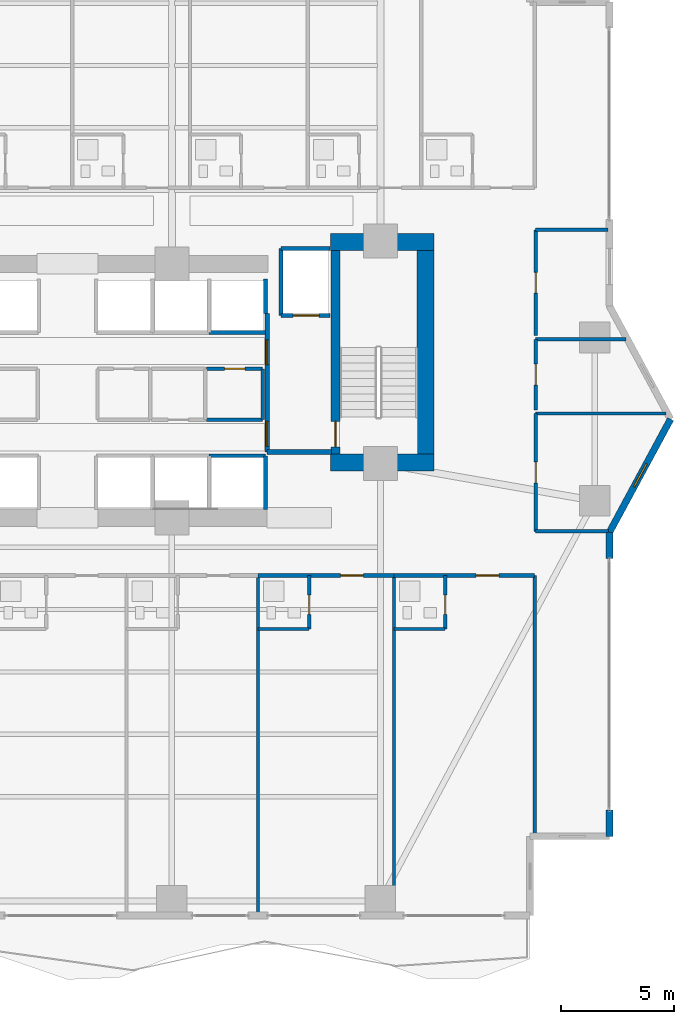
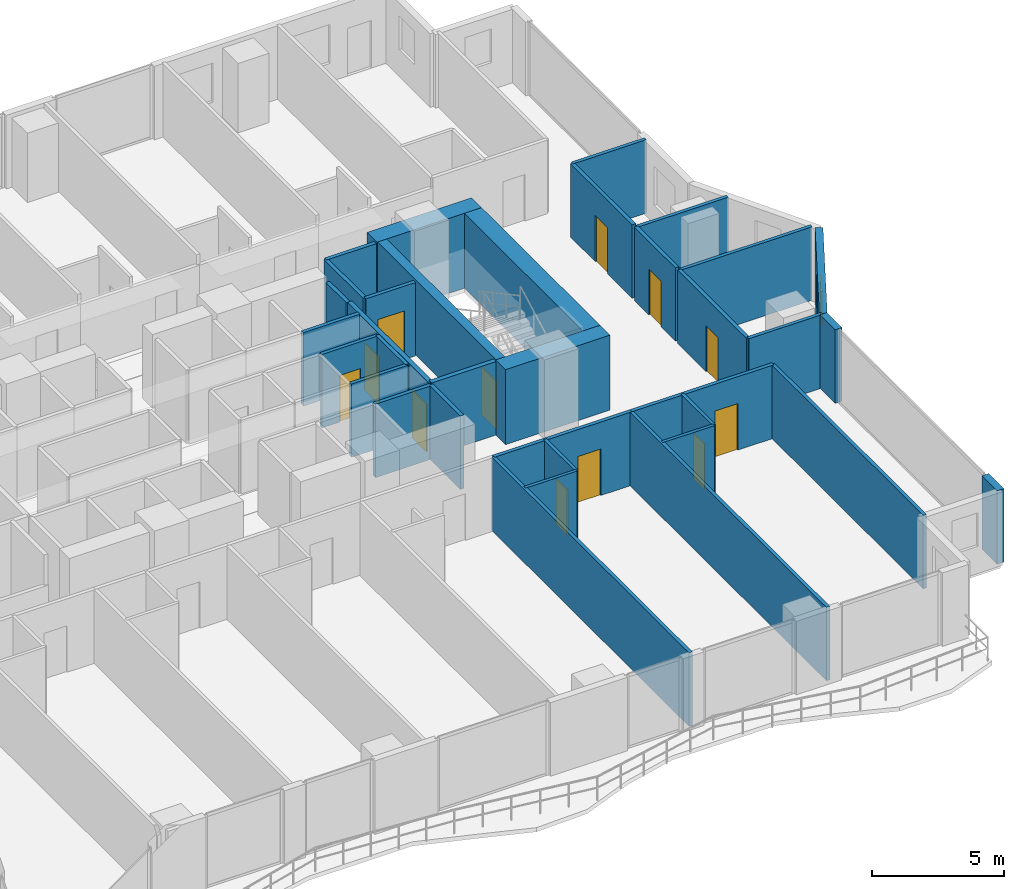
# One storey, part 23 of 29: 35 walls, 12 doors, 1 window, 13 openings.
"""IFC4 building model written with IfcOpenShell, lengths in metres."""

from ifc_helpers import new_model, si_unit, direction, frame, frame_2d, origin, place, context, subcontext, project, spatial, rectangle, extrude, material, layer, layer_set, type_object, element, fill, save


model = new_model("IFC4")

# Units and contexts
model_context = context("Model", 3, precision=1e-05, world=origin(), true_north=direction((0.0, 1.0)))
body_context = subcontext(model_context, "Body", "Model", "MODEL_VIEW")
ifc_project = project(units=[si_unit("LENGTHUNIT", "METRE"), si_unit("AREAUNIT", "SQUARE_METRE"), si_unit("VOLUMEUNIT", "CUBIC_METRE"), si_unit("PLANEANGLEUNIT", "RADIAN"), si_unit("MASSUNIT", "GRAM", prefix="KILO")], contexts=[model_context])

# Site, building, storey
site_placement = place(None, origin())
site = spatial("IfcSite", under=ifc_project, at=site_placement, CompositionType="ELEMENT")
building_placement = place(site_placement, origin())
building = spatial("IfcBuilding", under=site, at=building_placement, Name="Zuhayl Quay Hotel", CompositionType="ELEMENT")
storey_placement = place(building_placement, frame((0.0, 0.0, 158.550048828125)))
storey = spatial("IfcBuildingStorey", under=building, at=storey_placement, Name="L40", CompositionType="ELEMENT", Elevation=158.550048828125)

# Walls
ifc_material_1 = material(Name="Concrete C60/75", Category="concrete")
ifc_layer_1 = layer(ifc_material_1, 0.75, Name="Concrete C60/75", Category="concrete")
ifc_layer_set_1 = layer_set([ifc_layer_1], Name="Concrete C60/75")
wall_type_1 = type_object("IfcWallType", Name="WL_CORE_750", PredefinedType="SHEAR", material=ifc_layer_set_1)
wall_1_placement = place(storey_placement, frame((11.60009765625, 14.304931640625, 0.0), z_axis=(0.0, 0.0, 1.0), x_axis=(1.0, 0.0, 0.0)))
element("IfcWall", 1, at=wall_1_placement, inside=storey, type_object=wall_type_1, Name="L40 Core Shear Wall CW_NE", PredefinedType="SHEAR", context=body_context, shape_type="SweptSolid", body=[
    extrude(rectangle(XDim=4.559814453125, YDim=0.75, at=frame_2d((2.27978515625, 0.0))), origin(), (0.0, 0.0, 1.0), 3.4599609375),
])
wall_2_placement = place(storey_placement, frame((15.784912109375, 4.969970703125, 0.0), z_axis=(0.0, 0.0, 1.0), x_axis=(0.0, 1.0, 0.0)))
element("IfcWall", 2, at=wall_2_placement, inside=storey, type_object=wall_type_1, Name="L40 Core Shear Wall CW_E", PredefinedType="SHEAR", context=body_context, shape_type="SweptSolid", body=[
    extrude(rectangle(XDim=8.9599609375, YDim=0.75, at=frame_2d((4.47998046875, 0.0))), origin(), (0.0, 0.0, 1.0), 3.4599609375),
])
wall_3_placement = place(storey_placement, frame((11.60009765625, 4.594970703125, 0.0), z_axis=(0.0, 0.0, 1.0), x_axis=(1.0, 0.0, 0.0)))
element("IfcWall", 3, at=wall_3_placement, inside=storey, type_object=wall_type_1, Name="L40 Core Shear Wall CW_SE", PredefinedType="SHEAR", context=body_context, shape_type="SweptSolid", body=[
    extrude(rectangle(XDim=4.559814453125, YDim=0.75, at=frame_2d((2.27978515625, 0.0))), origin(), (0.0, 0.0, 1.0), 3.4599609375),
])

# Wall, opening, window
ifc_material_2 = material(Name="Precast concrete C45/55", Category="concrete")
ifc_layer_2 = layer(ifc_material_2, 0.300048828125, Name="Precast concrete C45/55", Category="concrete")
ifc_layer_set_2 = layer_set([ifc_layer_2], Name="Precast concrete C45/55")
wall_type_2 = type_object("IfcWallType", Name="WL_EXT_300", PredefinedType="STANDARD", material=ifc_layer_set_2)
wall_4_placement = place(storey_placement, frame((26.60009765625, 6.5, 0.0), z_axis=(0.0, 0.0, 1.0), x_axis=(-0.475175525499, -0.879891027325, 0.0)))
wall_4 = element("IfcWall", 4, at=wall_4_placement, inside=storey, type_object=wall_type_2, Name="L40 Exterior Precast Wall ENV_L40_EW13", PredefinedType="STANDARD", context=body_context, shape_type="SweptSolid", body=[
    extrude(rectangle(XDim=5.6826171875, YDim=0.300048828125, at=frame_2d((2.84130859375, 0.0))), origin(), (0.0, 0.0, 1.0), 3.389892578125),
])
opening_1_placement = place(wall_4_placement, frame((2.2421875, 0.0, 1.25)))
opening_1 = element("IfcOpeningElement", 5, at=opening_1_placement, cuts=wall_4, Name="Opening W01N", PredefinedType="OPENING", context=body_context, shape_type="SweptSolid", body=[
    extrude(rectangle(XDim=1.14990234375, YDim=1.550048828125, at=frame_2d((0.574951171875, 0.77490234375))), frame((0.0, 0.159912109375, 0.0), z_axis=(0.0, -1.0, 0.0), x_axis=(1.0, 0.0, 0.0)), (0.0, 0.0, 1.0), 0.320068359375),
])
ifc_material_3 = material(Name="Dark Ceramic-Fritted Solar Glass", Category="glass")
window_type = type_object("IfcWindowType", Name="WN_NOTCH_1350", PartitioningType="SINGLE_PANEL", PredefinedType="WINDOW", material=ifc_material_3)
window_placement = place(opening_1_placement, origin())
window = element("IfcWindow", 6, at=window_placement, inside=storey, type_object=window_type, Name="L40 Corner Notch Window 13", OverallHeight=1.550048828125, OverallWidth=1.14990234375, PartitioningType="SINGLE_PANEL", PredefinedType="WINDOW", context=body_context, shape_type="SweptSolid", body=[
    extrude(rectangle(XDim=1.14990234375, YDim=1.550048828125, at=frame_2d((0.574951171875, 0.77490234375))), frame((0.0, 0.030029296875, 0.0), z_axis=(0.0, -1.0, 0.0), x_axis=(1.0, 0.0, 0.0)), (0.0, 0.0, 1.0), 0.06005859375),
])
fill(opening_1, window)

# Walls
for number, where, z_axis, x_axis, name in (
    (7, (23.89990234375, 1.5, 0.0), (0.0, 0.0, 1.0), (0.0, -1.0, 0.0), "L40 Exterior Precast Wall ENV_L40_E14_EW1"),
    (8, (23.89990234375, -10.75, 0.0), (0.0, 0.0, 1.0), (0.0, -1.0, 0.0), "L40 Exterior Precast Wall ENV_L40_E14_EW2"),
):
    element("IfcWall", number, at=place(storey_placement, frame(where, z_axis=z_axis, x_axis=x_axis)), inside=storey, type_object=wall_type_2, Name=name, PredefinedType="STANDARD", context=body_context, shape_type="SweptSolid", body=[
        extrude(rectangle(XDim=1.14990234375, YDim=0.300048828125, at=frame_2d((0.574951171875, 0.0))), origin(), (0.0, 0.0, 1.0), 3.389892578125),
    ])

# Wall, opening, door
ifc_material_4 = material(Name="Acoustic Gypsum Partition STC-58")
ifc_layer_3 = layer(ifc_material_4, 0.14990234375, Name="Acoustic Gypsum Partition STC-58")
ifc_layer_set_3 = layer_set([ifc_layer_3], Name="Acoustic Gypsum Partition STC-58")
wall_type_3 = type_object("IfcWallType", Name="WL_PART_150", PredefinedType="PARTITIONING", material=ifc_layer_set_3)
wall_5_placement = place(storey_placement, frame((6.139892578125, 8.719970703125, 0.0), z_axis=(0.0, 0.0, 1.0), x_axis=(1.0, 0.0, 0.0)))
wall_5 = element("IfcWall", 9, at=wall_5_placement, inside=storey, type_object=wall_type_3, Name="L40 Partition IW_L40_CORE_E3_N", PredefinedType="PARTITIONING", context=body_context, shape_type="SweptSolid", body=[
    extrude(rectangle(XDim=2.47021484375, YDim=0.14990234375, at=frame_2d((1.235107421875, 0.0))), origin(), (0.0, 0.0, 1.0), 3.389892578125),
])
opening_2_placement = place(wall_5_placement, frame((0.784912109375, 0.0, 0.0)))
opening_2 = element("IfcOpeningElement", 10, at=opening_2_placement, cuts=wall_5, Name="Opening D06", PredefinedType="OPENING", context=body_context, shape_type="SweptSolid", body=[
    extrude(rectangle(XDim=0.89990234375, YDim=2.14990234375, at=frame_2d((0.449951171875, 1.074951171875))), frame((0.0, 0.0849609375, 0.0), z_axis=(0.0, -1.0, 0.0), x_axis=(1.0, 0.0, 0.0)), (0.0, 0.0, 1.0), 0.169921875),
])
ifc_material_5 = material(Name="Steel ASTM A992 Grade 50", Category="steel")
door_type_1 = type_object("IfcDoorType", Name="DR_INT_900", OperationType="NOTDEFINED", PredefinedType="DOOR", material=ifc_material_5)
door_1_placement = place(opening_2_placement, origin())
door_1 = element("IfcDoor", 11, at=door_1_placement, inside=storey, type_object=door_type_1, Name="L40 Janitor and Cleaners Store Door", OperationType="SINGLE_SWING_RIGHT", OverallHeight=2.14990234375, OverallWidth=0.89990234375, PredefinedType="DOOR", context=body_context, shape_type="SweptSolid", body=[
    extrude(rectangle(XDim=0.89990234375, YDim=2.14990234375, at=frame_2d((0.449951171875, 1.074951171875))), frame((0.0, 0.02490234375, 0.0), z_axis=(0.0, -1.0, 0.0), x_axis=(1.0, 0.0, 0.0)), (0.0, 0.0, 1.0), 0.050048828125),
])
fill(opening_2, door_1)

# Walls
wall_6_placement = place(storey_placement, frame((6.139892578125, 6.47998046875, 0.0), z_axis=(0.0, 0.0, 1.0), x_axis=(1.0, 0.0, 0.0)))
element("IfcWall", 12, at=wall_6_placement, inside=storey, type_object=wall_type_3, Name="L40 Partition IW_L40_CORE_E3_S", PredefinedType="PARTITIONING", context=body_context, shape_type="SweptSolid", body=[
    extrude(rectangle(XDim=2.47021484375, YDim=0.14990234375, at=frame_2d((1.235107421875, 0.0))), origin(), (0.0, 0.0, 1.0), 3.389892578125),
])
wall_7_placement = place(storey_placement, frame((8.610107421875, 6.47998046875, 0.0), z_axis=(0.0, 0.0, 1.0), x_axis=(0.0, 1.0, 0.0)))
element("IfcWall", 13, at=wall_7_placement, inside=storey, type_object=wall_type_3, Name="L40 Partition IW_L40_CORE_E3_E", PredefinedType="PARTITIONING", context=body_context, shape_type="SweptSolid", body=[
    extrude(rectangle(XDim=2.239990234375, YDim=0.14990234375, at=frame_2d((1.1201171875, 0.0))), origin(), (0.0, 0.0, 1.0), 3.389892578125),
])
for number, where, z_axis, x_axis, name in (
    (14, (8.39990234375, -15.320068359375, 0.0), (0.0, 0.0, 1.0), (0.0, 1.0, 0.0), "L40 Partition IW_L40_SU05_E"),
    (15, (14.39990234375, -15.320068359375, 0.0), (0.0, 0.0, 1.0), (0.0, 1.0, 0.0), "L40 Partition IW_L40_SU06_E"),
):
    element("IfcWall", number, at=place(storey_placement, frame(where, z_axis=z_axis, x_axis=x_axis)), inside=storey, type_object=wall_type_3, Name=name, PredefinedType="PARTITIONING", context=body_context, shape_type="SweptSolid", body=[
        extrude(rectangle(XDim=14.920166015625, YDim=0.14990234375, at=frame_2d((7.4599609375, 0.0))), origin(), (0.0, 0.0, 1.0), 3.389892578125),
    ])
wall_8_placement = place(storey_placement, frame((20.60009765625, -11.89990234375, 0.0), z_axis=(0.0, 0.0, 1.0), x_axis=(0.0, 1.0, 0.0)))
element("IfcWall", 16, at=wall_8_placement, inside=storey, type_object=wall_type_3, Name="L40 Partition IW_L40_SU07_E", PredefinedType="PARTITIONING", context=body_context, shape_type="SweptSolid", body=[
    extrude(rectangle(XDim=11.5, YDim=0.14990234375, at=frame_2d((5.75, 0.0))), origin(), (0.0, 0.0, 1.0), 3.389892578125),
])
wall_9_placement = place(storey_placement, frame((20.64990234375, 1.550048828125, 0.0), z_axis=(0.0, 0.0, 1.0), x_axis=(1.0, 0.0, 0.0)))
element("IfcWall", 17, at=wall_9_placement, inside=storey, type_object=wall_type_3, Name="L40 Partition IW_L40_HK_MAIN_S", PredefinedType="PARTITIONING", context=body_context, shape_type="SweptSolid", body=[
    extrude(rectangle(XDim=3.217041015625, YDim=0.14990234375, at=frame_2d((1.6083984375, 0.0))), origin(), (0.0, 0.0, 1.0), 3.389892578125),
])
wall_10_placement = place(storey_placement, frame((20.64990234375, 6.75, 0.0), z_axis=(0.0, 0.0, 1.0), x_axis=(1.0, 0.0, 0.0)))
element("IfcWall", 18, at=wall_10_placement, inside=storey, type_object=wall_type_3, Name="L40 Partition IW_L40_HK_MAIN_N", PredefinedType="PARTITIONING", context=body_context, shape_type="SweptSolid", body=[
    extrude(rectangle(XDim=5.755126953125, YDim=0.14990234375, at=frame_2d((2.87744140625, 0.0))), origin(), (0.0, 0.0, 1.0), 3.389892578125),
])
wall_11_placement = place(storey_placement, frame((20.64990234375, 10.02001953125, 0.0), z_axis=(0.0, 0.0, 1.0), x_axis=(1.0, 0.0, 0.0)))
element("IfcWall", 19, at=wall_11_placement, inside=storey, type_object=wall_type_3, Name="L40 Partition IW_L40_EFLK_2_N", PredefinedType="PARTITIONING", context=body_context, shape_type="SweptSolid", body=[
    extrude(rectangle(XDim=3.9892578125, YDim=0.14990234375, at=frame_2d((1.99462890625, 0.0))), origin(), (0.0, 0.0, 1.0), 3.389892578125),
])
wall_12_placement = place(storey_placement, frame((20.64990234375, 14.85009765625, 0.0), z_axis=(0.0, 0.0, 1.0), x_axis=(1.0, 0.0, 0.0)))
element("IfcWall", 20, at=wall_12_placement, inside=storey, type_object=wall_type_3, Name="L40 Partition IW_L40_EFLK_3_N", PredefinedType="PARTITIONING", context=body_context, shape_type="SweptSolid", body=[
    extrude(rectangle(XDim=3.190185546875, YDim=0.14990234375, at=frame_2d((1.59521484375, 0.0))), origin(), (0.0, 0.0, 1.0), 3.389892578125),
])

# Wall, opening, door
ifc_layer_4 = layer(ifc_material_4, 0.159912109375, Name="Acoustic Gypsum Partition STC-58")
ifc_layer_set_4 = layer_set([ifc_layer_4], Name="Acoustic Gypsum Partition STC-58")
wall_type_4 = type_object("IfcWallType", Name="WL_PART_CORR_160", PredefinedType="PARTITIONING", material=ifc_layer_set_4)
wall_13_placement = place(storey_placement, frame((8.39990234375, -0.39990234375, 0.0), z_axis=(0.0, 0.0, 1.0), x_axis=(1.0, 0.0, 0.0)))
wall_13 = element("IfcWall", 21, at=wall_13_placement, inside=storey, type_object=wall_type_4, Name="L40 Partition IW_L40_SU06_COR", PredefinedType="PARTITIONING", context=body_context, shape_type="SweptSolid", body=[
    extrude(rectangle(XDim=6.0, YDim=0.159912109375, at=frame_2d((3.0, 0.0))), origin(), (0.0, 0.0, 1.0), 3.389892578125),
])
opening_3_placement = place(wall_13_placement, frame((3.64990234375, 0.0, 0.0)))
opening_3 = element("IfcOpeningElement", 22, at=opening_3_placement, cuts=wall_13, Name="Opening D03L", PredefinedType="OPENING", context=body_context, shape_type="SweptSolid", body=[
    extrude(rectangle(XDim=1.0, YDim=2.14990234375, at=frame_2d((0.5, 1.074951171875))), frame((0.0, 0.08984375, 0.0), z_axis=(0.0, -1.0, 0.0), x_axis=(1.0, 0.0, 0.0)), (0.0, 0.0, 1.0), 0.179931640625),
])
ifc_material_6 = material(Name="Solid Walnut Acoustic Fire Door")
door_type_2 = type_object("IfcDoorType", Name="DR_SUITE_1000", OperationType="NOTDEFINED", PredefinedType="DOOR", material=ifc_material_6)
door_2_placement = place(opening_3_placement, origin())
door_2 = element("IfcDoor", 23, at=door_2_placement, inside=storey, type_object=door_type_2, Name="L40 Premier Twin Junior Suite L40-06 Entrance Door", OperationType="SINGLE_SWING_RIGHT", OverallHeight=2.14990234375, OverallWidth=1.0, PredefinedType="DOOR", context=body_context, shape_type="SweptSolid", body=[
    extrude(rectangle(XDim=1.0, YDim=2.14990234375, at=frame_2d((0.5, 1.074951171875))), frame((0.0, 0.02490234375, 0.0), z_axis=(0.0, -1.0, 0.0), x_axis=(1.0, 0.0, 0.0)), (0.0, 0.0, 1.0), 0.050048828125),
])
fill(opening_3, door_2)

wall_14_placement = place(storey_placement, frame((14.39990234375, -0.39990234375, 0.0), z_axis=(0.0, 0.0, 1.0), x_axis=(1.0, 0.0, 0.0)))
wall_14 = element("IfcWall", 24, at=wall_14_placement, inside=storey, type_object=wall_type_4, Name="L40 Partition IW_L40_SU07_COR", PredefinedType="PARTITIONING", context=body_context, shape_type="SweptSolid", body=[
    extrude(rectangle(XDim=6.2001953125, YDim=0.159912109375, at=frame_2d((3.10009765625, 0.0))), origin(), (0.0, 0.0, 1.0), 3.389892578125),
])
opening_4_placement = place(wall_14_placement, frame((3.625, 0.0, 0.0)))
opening_4 = element("IfcOpeningElement", 25, at=opening_4_placement, cuts=wall_14, Name="Opening D03L", PredefinedType="OPENING", context=body_context, shape_type="SweptSolid", body=[
    extrude(rectangle(XDim=1.0, YDim=2.14990234375, at=frame_2d((0.5, 1.074951171875))), frame((0.0, 0.08984375, 0.0), z_axis=(0.0, -1.0, 0.0), x_axis=(1.0, 0.0, 0.0)), (0.0, 0.0, 1.0), 0.179931640625),
])
door_3_placement = place(opening_4_placement, origin())
door_3 = element("IfcDoor", 26, at=door_3_placement, inside=storey, type_object=door_type_2, Name="L40 Premier Twin Junior Suite L40-07 Entrance Door", OperationType="SINGLE_SWING_RIGHT", OverallHeight=2.14990234375, OverallWidth=1.0, PredefinedType="DOOR", context=body_context, shape_type="SweptSolid", body=[
    extrude(rectangle(XDim=1.0, YDim=2.14990234375, at=frame_2d((0.5, 1.074951171875))), frame((0.0, 0.02490234375, 0.0), z_axis=(0.0, -1.0, 0.0), x_axis=(1.0, 0.0, 0.0)), (0.0, 0.0, 1.0), 0.050048828125),
])
fill(opening_4, door_3)

wall_15_placement = place(storey_placement, frame((20.64990234375, 1.550048828125, 0.0), z_axis=(0.0, 0.0, 1.0), x_axis=(0.0, 1.0, 0.0)))
wall_15 = element("IfcWall", 27, at=wall_15_placement, inside=storey, type_object=wall_type_4, Name="L40 Partition IW_L40_HK_MAIN_W", PredefinedType="PARTITIONING", context=body_context, shape_type="SweptSolid", body=[
    extrude(rectangle(XDim=5.199951171875, YDim=0.159912109375, at=frame_2d((2.60009765625, 0.0))), origin(), (0.0, 0.0, 1.0), 3.389892578125),
])
opening_5_placement = place(wall_15_placement, frame((2.139892578125, 0.0, 0.0)))
opening_5 = element("IfcOpeningElement", 28, at=opening_5_placement, cuts=wall_15, Name="Opening D05", PredefinedType="OPENING", context=body_context, shape_type="SweptSolid", body=[
    extrude(rectangle(XDim=0.919921875, YDim=2.1201171875, at=frame_2d((0.4599609375, 1.06005859375))), frame((0.0, 0.08984375, 0.0), z_axis=(0.0, -1.0, 0.0), x_axis=(1.0, 0.0, 0.0)), (0.0, 0.0, 1.0), 0.179931640625),
])
door_type_3 = type_object("IfcDoorType", Name="DR_INT_950", OperationType="NOTDEFINED", PredefinedType="DOOR", material=ifc_material_6)
door_4_placement = place(opening_5_placement, origin())
door_4 = element("IfcDoor", 29, at=door_4_placement, inside=storey, type_object=door_type_3, Name="L40 Housekeeping and Linen Room Door", OperationType="SINGLE_SWING_LEFT", OverallHeight=2.1201171875, OverallWidth=0.919921875, PredefinedType="DOOR", context=body_context, shape_type="SweptSolid", body=[
    extrude(rectangle(XDim=0.919921875, YDim=2.1201171875, at=frame_2d((0.4599609375, 1.06005859375))), frame((0.0, 0.02490234375, 0.0), z_axis=(0.0, -1.0, 0.0), x_axis=(1.0, 0.0, 0.0)), (0.0, 0.0, 1.0), 0.050048828125),
])
fill(opening_5, door_4)

wall_16_placement = place(storey_placement, frame((20.64990234375, 6.909912109375, 0.0), z_axis=(0.0, 0.0, 1.0), x_axis=(0.0, 1.0, 0.0)))
wall_16 = element("IfcWall", 30, at=wall_16_placement, inside=storey, type_object=wall_type_4, Name="L40 Partition IW_L40_EFLK_2_W", PredefinedType="PARTITIONING", context=body_context, shape_type="SweptSolid", body=[
    extrude(rectangle(XDim=3.110107421875, YDim=0.159912109375, at=frame_2d((1.55517578125, 0.0))), origin(), (0.0, 0.0, 1.0), 3.389892578125),
])
opening_6_placement = place(wall_16_placement, frame((1.094970703125, 0.0, 0.0)))
opening_6 = element("IfcOpeningElement", 31, at=opening_6_placement, cuts=wall_16, Name="Opening D05", PredefinedType="OPENING", context=body_context, shape_type="SweptSolid", body=[
    extrude(rectangle(XDim=0.919921875, YDim=2.1201171875, at=frame_2d((0.4599609375, 1.06005859375))), frame((0.0, 0.08984375, 0.0), z_axis=(0.0, -1.0, 0.0), x_axis=(1.0, 0.0, 0.0)), (0.0, 0.0, 1.0), 0.179931640625),
])
door_5_placement = place(opening_6_placement, origin())
door_5 = element("IfcDoor", 32, at=door_5_placement, inside=storey, type_object=door_type_3, Name="L40 Floor Beverage Pantry Door", OperationType="SINGLE_SWING_RIGHT", OverallHeight=2.1201171875, OverallWidth=0.919921875, PredefinedType="DOOR", context=body_context, shape_type="SweptSolid", body=[
    extrude(rectangle(XDim=0.919921875, YDim=2.1201171875, at=frame_2d((0.4599609375, 1.06005859375))), frame((0.0, 0.02490234375, 0.0), z_axis=(0.0, -1.0, 0.0), x_axis=(1.0, 0.0, 0.0)), (0.0, 0.0, 1.0), 0.050048828125),
])
fill(opening_6, door_5)

wall_17_placement = place(storey_placement, frame((20.64990234375, 10.179931640625, 0.0), z_axis=(0.0, 0.0, 1.0), x_axis=(0.0, 1.0, 0.0)))
wall_17 = element("IfcWall", 33, at=wall_17_placement, inside=storey, type_object=wall_type_4, Name="L40 Partition IW_L40_EFLK_3_W", PredefinedType="PARTITIONING", context=body_context, shape_type="SweptSolid", body=[
    extrude(rectangle(XDim=4.670166015625, YDim=0.159912109375, at=frame_2d((2.3349609375, 0.0))), origin(), (0.0, 0.0, 1.0), 3.389892578125),
])
opening_7_placement = place(wall_17_placement, frame((1.875, 0.0, 0.0)))
opening_7 = element("IfcOpeningElement", 34, at=opening_7_placement, cuts=wall_17, Name="Opening D05", PredefinedType="OPENING", context=body_context, shape_type="SweptSolid", body=[
    extrude(rectangle(XDim=0.919921875, YDim=2.1201171875, at=frame_2d((0.4599609375, 1.06005859375))), frame((0.0, 0.08984375, 0.0), z_axis=(0.0, -1.0, 0.0), x_axis=(1.0, 0.0, 0.0)), (0.0, 0.0, 1.0), 0.179931640625),
])
door_6_placement = place(opening_7_placement, origin())
door_6 = element("IfcDoor", 35, at=door_6_placement, inside=storey, type_object=door_type_3, Name="L40 East Prow Office L40 Door", OperationType="SINGLE_SWING_LEFT", OverallHeight=2.1201171875, OverallWidth=0.919921875, PredefinedType="DOOR", context=body_context, shape_type="SweptSolid", body=[
    extrude(rectangle(XDim=0.919921875, YDim=2.1201171875, at=frame_2d((0.4599609375, 1.06005859375))), frame((0.0, 0.02490234375, 0.0), z_axis=(0.0, -1.0, 0.0), x_axis=(1.0, 0.0, 0.0)), (0.0, 0.0, 1.0), 0.050048828125),
])
fill(opening_7, door_6)

ifc_material_7 = material(Name="Moisture-Resistant Sanitarychase Gypsum")
ifc_layer_5 = layer(ifc_material_7, 0.135009765625, Name="Moisture-Resistant Sanitarychase Gypsum")
ifc_layer_set_5 = layer_set([ifc_layer_5], Name="Moisture-Resistant Sanitarychase Gypsum")
wall_type_5 = type_object("IfcWallType", Name="WL_PART_PLUMB_150", PredefinedType="PLUMBINGWALL", material=ifc_layer_set_5)
wall_18_placement = place(storey_placement, frame((10.659912109375, -2.760009765625, 0.0), z_axis=(0.0, 0.0, 1.0), x_axis=(0.0, 1.0, 0.0)))
wall_18 = element("IfcWall", 36, at=wall_18_placement, inside=storey, type_object=wall_type_5, Name="L40 Partition IW_L40_SU06_BE", PredefinedType="PLUMBINGWALL", context=body_context, shape_type="SweptSolid", body=[
    extrude(rectangle(XDim=2.360107421875, YDim=0.135009765625, at=frame_2d((1.18017578125, 0.0))), origin(), (0.0, 0.0, 1.0), 3.389892578125),
])
opening_8_placement = place(wall_18_placement, frame((0.64990234375, 0.0, 0.0)))
opening_8 = element("IfcOpeningElement", 37, at=opening_8_placement, cuts=wall_18, Name="Opening D04", PredefinedType="OPENING", context=body_context, shape_type="SweptSolid", body=[
    extrude(rectangle(XDim=0.85009765625, YDim=2.10009765625, at=frame_2d((0.425048828125, 1.050048828125))), frame((0.0, 0.077392578125, 0.0), z_axis=(0.0, -1.0, 0.0), x_axis=(1.0, 0.0, 0.0)), (0.0, 0.0, 1.0), 0.155029296875),
])
ifc_material_8 = material(Name="Moisture-Resistant Walnut Veneer")
door_type_4 = type_object("IfcDoorType", Name="DR_BATH_850", OperationType="NOTDEFINED", PredefinedType="DOOR", material=ifc_material_8)
door_7_placement = place(opening_8_placement, origin())
door_7 = element("IfcDoor", 38, at=door_7_placement, inside=storey, type_object=door_type_4, Name="L40 Premier Twin Junior Suite L40-06 En-Suite Door", OperationType="SINGLE_SWING_LEFT", OverallHeight=2.10009765625, OverallWidth=0.85009765625, PredefinedType="DOOR", context=body_context, shape_type="SweptSolid", body=[
    extrude(rectangle(XDim=0.85009765625, YDim=2.10009765625, at=frame_2d((0.425048828125, 1.050048828125))), frame((0.0, 0.02490234375, 0.0), z_axis=(0.0, -1.0, 0.0), x_axis=(1.0, 0.0, 0.0)), (0.0, 0.0, 1.0), 0.050048828125),
])
fill(opening_8, door_7)

wall_19_placement = place(storey_placement, frame((16.659912109375, -2.760009765625, 0.0), z_axis=(0.0, 0.0, 1.0), x_axis=(0.0, 1.0, 0.0)))
wall_19 = element("IfcWall", 39, at=wall_19_placement, inside=storey, type_object=wall_type_5, Name="L40 Partition IW_L40_SU07_BE", PredefinedType="PLUMBINGWALL", context=body_context, shape_type="SweptSolid", body=[
    extrude(rectangle(XDim=2.360107421875, YDim=0.135009765625, at=frame_2d((1.18017578125, 0.0))), origin(), (0.0, 0.0, 1.0), 3.389892578125),
])
opening_9_placement = place(wall_19_placement, frame((0.64990234375, 0.0, 0.0)))
opening_9 = element("IfcOpeningElement", 40, at=opening_9_placement, cuts=wall_19, Name="Opening D04", PredefinedType="OPENING", context=body_context, shape_type="SweptSolid", body=[
    extrude(rectangle(XDim=0.85009765625, YDim=2.10009765625, at=frame_2d((0.425048828125, 1.050048828125))), frame((0.0, 0.077392578125, 0.0), z_axis=(0.0, -1.0, 0.0), x_axis=(1.0, 0.0, 0.0)), (0.0, 0.0, 1.0), 0.155029296875),
])
door_8_placement = place(opening_9_placement, origin())
door_8 = element("IfcDoor", 41, at=door_8_placement, inside=storey, type_object=door_type_4, Name="L40 Premier Twin Junior Suite L40-07 En-Suite Door", OperationType="SINGLE_SWING_LEFT", OverallHeight=2.10009765625, OverallWidth=0.85009765625, PredefinedType="DOOR", context=body_context, shape_type="SweptSolid", body=[
    extrude(rectangle(XDim=0.85009765625, YDim=2.10009765625, at=frame_2d((0.425048828125, 1.050048828125))), frame((0.0, 0.02490234375, 0.0), z_axis=(0.0, -1.0, 0.0), x_axis=(1.0, 0.0, 0.0)), (0.0, 0.0, 1.0), 0.050048828125),
])
fill(opening_9, door_8)

# Walls
for number, where, z_axis, x_axis, name in (
    (42, (8.39990234375, -2.760009765625, 0.0), (0.0, 0.0, 1.0), (1.0, 0.0, 0.0), "L40 Partition IW_L40_SU06_BS"),
    (43, (14.39990234375, -2.760009765625, 0.0), (0.0, 0.0, 1.0), (1.0, 0.0, 0.0), "L40 Partition IW_L40_SU07_BS"),
):
    element("IfcWall", number, at=place(storey_placement, frame(where, z_axis=z_axis, x_axis=x_axis)), inside=storey, type_object=wall_type_5, Name=name, PredefinedType="PLUMBINGWALL", context=body_context, shape_type="SweptSolid", body=[
        extrude(rectangle(XDim=2.260009765625, YDim=0.135009765625, at=frame_2d((1.1298828125, 0.0))), origin(), (0.0, 0.0, 1.0), 3.389892578125),
    ])

# Wall, opening, door
ifc_material_9 = material(Name="Gypsum Fireboard Assembly EI-90")
ifc_layer_6 = layer(ifc_material_9, 0.1650390625, Name="Gypsum Fireboard Assembly EI-90")
ifc_layer_set_6 = layer_set([ifc_layer_6], Name="Gypsum Fireboard Assembly EI-90")
wall_type_6 = type_object("IfcWallType", Name="WL_PART_SHAFT_160", PredefinedType="PARTITIONING", material=ifc_layer_set_6)
wall_20_placement = place(storey_placement, frame((9.419921875, 11.070068359375, 0.0), z_axis=(0.0, 0.0, 1.0), x_axis=(1.0, 0.0, 0.0)))
wall_20 = element("IfcWall", 44, at=wall_20_placement, inside=storey, type_object=wall_type_6, Name="L40 Partition IW_L40_SH_FL2_F", PredefinedType="PARTITIONING", context=body_context, shape_type="SweptSolid", body=[
    extrude(rectangle(XDim=2.16015625, YDim=0.1650390625, at=frame_2d((1.080078125, 0.0))), origin(), (0.0, 0.0, 1.0), 3.389892578125),
])
opening_10_placement = place(wall_20_placement, frame((0.530029296875, 0.0, 0.0)))
opening_10 = element("IfcOpeningElement", 45, at=opening_10_placement, cuts=wall_20, Name="Opening LD2", PredefinedType="OPENING", context=body_context, shape_type="SweptSolid", body=[
    extrude(rectangle(XDim=1.14990234375, YDim=2.25, at=frame_2d((0.574951171875, 1.125))), frame((0.0, 0.092529296875, 0.0), z_axis=(0.0, -1.0, 0.0), x_axis=(1.0, 0.0, 0.0)), (0.0, 0.0, 1.0), 0.18505859375),
])
ifc_material_10 = material(Name="Brushed Stainless Steel", Category="steel")
door_type_5 = type_object("IfcDoorType", Name="DR_LIFT_FF_1100", OperationType="SLIDING_TO_LEFT", PredefinedType="DOOR", material=ifc_material_10)
door_9_placement = place(opening_10_placement, origin())
door_9 = element("IfcDoor", 46, at=door_9_placement, inside=storey, type_object=door_type_5, Name="L40 Lift FL2 Sliding Landing Door", OperationType="SLIDING_TO_LEFT", OverallHeight=2.25, OverallWidth=1.14990234375, PredefinedType="DOOR", context=body_context, shape_type="SweptSolid", body=[
    extrude(rectangle(XDim=1.14990234375, YDim=2.25, at=frame_2d((0.574951171875, 1.125))), frame((0.0, 0.02490234375, 0.0), z_axis=(0.0, -1.0, 0.0), x_axis=(1.0, 0.0, 0.0)), (0.0, 0.0, 1.0), 0.050048828125),
])
fill(opening_10, door_9)

# Walls
wall_21_placement = place(storey_placement, frame((9.419921875, 11.070068359375, 0.0), z_axis=(0.0, 0.0, 1.0), x_axis=(0.0, 1.0, 0.0)))
element("IfcWall", 47, at=wall_21_placement, inside=storey, type_object=wall_type_6, Name="L40 Partition IW_L40_SH_FL2_W", PredefinedType="PARTITIONING", context=body_context, shape_type="SweptSolid", body=[
    extrude(rectangle(XDim=2.9599609375, YDim=0.1650390625, at=frame_2d((1.47998046875, 0.0))), origin(), (0.0, 0.0, 1.0), 3.389892578125),
])
wall_22_placement = place(storey_placement, frame((9.419921875, 14.030029296875, 0.0), z_axis=(0.0, 0.0, 1.0), x_axis=(1.0, 0.0, 0.0)))
element("IfcWall", 48, at=wall_22_placement, inside=storey, type_object=wall_type_6, Name="L40 Partition IW_L40_SH_FL2_B", PredefinedType="PARTITIONING", context=body_context, shape_type="SweptSolid", body=[
    extrude(rectangle(XDim=2.16015625, YDim=0.1650390625, at=frame_2d((1.080078125, 0.0))), origin(), (0.0, 0.0, 1.0), 3.389892578125),
])
wall_23_placement = place(storey_placement, frame((6.25, 4.8798828125, 0.0), z_axis=(0.0, 0.0, 1.0), x_axis=(1.0, 0.0, 0.0)))
element("IfcWall", 49, at=wall_23_placement, inside=storey, type_object=wall_type_6, Name="L40 Partition IW_L40_SH_HP2_F", PredefinedType="PARTITIONING", context=body_context, shape_type="SweptSolid", body=[
    extrude(rectangle(XDim=2.47998046875, YDim=0.1650390625, at=frame_2d((1.239990234375, 0.0))), origin(), (0.0, 0.0, 1.0), 3.389892578125),
])
wall_24_placement = place(storey_placement, frame((8.72998046875, 2.52001953125, 0.0), z_axis=(0.0, 0.0, 1.0), x_axis=(0.0, 1.0, 0.0)))
element("IfcWall", 50, at=wall_24_placement, inside=storey, type_object=wall_type_6, Name="L40 Partition IW_L40_SH_HP2_E", PredefinedType="PARTITIONING", context=body_context, shape_type="SweptSolid", body=[
    extrude(rectangle(XDim=2.35986328125, YDim=0.1650390625, at=frame_2d((1.179931640625, 0.0))), origin(), (0.0, 0.0, 1.0), 3.389892578125),
])
wall_25_placement = place(storey_placement, frame((6.25, 10.320068359375, 0.0), z_axis=(0.0, 0.0, 1.0), x_axis=(1.0, 0.0, 0.0)))
element("IfcWall", 51, at=wall_25_placement, inside=storey, type_object=wall_type_6, Name="L40 Partition IW_L40_SH_HP4_F", PredefinedType="PARTITIONING", context=body_context, shape_type="SweptSolid", body=[
    extrude(rectangle(XDim=2.47998046875, YDim=0.1650390625, at=frame_2d((1.239990234375, 0.0))), origin(), (0.0, 0.0, 1.0), 3.389892578125),
])
wall_26_placement = place(storey_placement, frame((8.72998046875, 11.14990234375, 0.0), z_axis=(0.0, 0.0, 1.0), x_axis=(0.0, 1.0, 0.0)))
element("IfcWall", 52, at=wall_26_placement, inside=storey, type_object=wall_type_6, Name="L40 Partition IW_L40_SH_HP4_E", PredefinedType="PARTITIONING", context=body_context, shape_type="SweptSolid", body=[
    extrude(rectangle(XDim=1.530029296875, YDim=0.1650390625, at=frame_2d((0.76513671875, 0.0))), origin(), (0.0, 0.0, 1.0), 3.389892578125),
])

# Wall, openings, doors
ifc_material_11 = material(Name="Gypsum Fireboard Assembly EI-120")
ifc_layer_7 = layer(ifc_material_11, 0.199951171875, Name="Gypsum Fireboard Assembly EI-120")
ifc_layer_set_7 = layer_set([ifc_layer_7], Name="Gypsum Fireboard Assembly EI-120")
wall_type_7 = type_object("IfcWallType", Name="WL_PART_SHAFT_200", PredefinedType="PARTITIONING", material=ifc_layer_set_7)
wall_27_placement = place(storey_placement, frame((8.800048828125, 11.14990234375, 0.0), z_axis=(0.0, 0.0, 1.0), x_axis=(0.0, -1.0, 0.0)))
wall_27 = element("IfcWall", 53, at=wall_27_placement, inside=storey, type_object=wall_type_7, Name="L40 Partition IW_L40_FSAE_E_W", PredefinedType="PARTITIONING", context=body_context, shape_type="SweptSolid", body=[
    extrude(rectangle(XDim=6.099853515625, YDim=0.199951171875, at=frame_2d((3.0498046875, 0.0))), origin(), (0.0, 0.0, 1.0), 3.389892578125),
])
opening_11_placement = place(wall_27_placement, frame((1.14990234375, 0.0, 0.0)))
opening_11 = element("IfcOpeningElement", 54, at=opening_11_placement, cuts=wall_27, Name="Opening D02", PredefinedType="OPENING", context=body_context, shape_type="SweptSolid", body=[
    extrude(rectangle(XDim=1.10009765625, YDim=2.199951171875, at=frame_2d((0.550048828125, 1.10009765625))), frame((0.0, 0.10986328125, 0.0), z_axis=(0.0, -1.0, 0.0), x_axis=(1.0, 0.0, 0.0)), (0.0, 0.0, 1.0), 0.219970703125),
])
opening_12_placement = place(wall_27_placement, frame((4.75, 0.0, 0.0)))
opening_12 = element("IfcOpeningElement", 55, at=opening_12_placement, cuts=wall_27, Name="Opening D02", PredefinedType="OPENING", context=body_context, shape_type="SweptSolid", body=[
    extrude(rectangle(XDim=1.10009765625, YDim=2.199951171875, at=frame_2d((0.550048828125, 1.10009765625))), frame((0.0, 0.10986328125, 0.0), z_axis=(0.0, -1.0, 0.0), x_axis=(1.0, 0.0, 0.0)), (0.0, 0.0, 1.0), 0.219970703125),
])
door_type_6 = type_object("IfcDoorType", Name="DR_FIRE_90_1100", OperationType="NOTDEFINED", PredefinedType="DOOR", material=ifc_material_5)
door_10_placement = place(opening_11_placement, origin())
door_10 = element("IfcDoor", 56, at=door_10_placement, inside=storey, type_object=door_type_6, Name="L40 FSAE Lobby East North Entry Door", OperationType="SINGLE_SWING_LEFT", OverallHeight=2.199951171875, OverallWidth=1.10009765625, PredefinedType="DOOR", context=body_context, shape_type="SweptSolid", body=[
    extrude(rectangle(XDim=1.10009765625, YDim=2.199951171875, at=frame_2d((0.550048828125, 1.10009765625))), frame((0.0, 0.02490234375, 0.0), z_axis=(0.0, -1.0, 0.0), x_axis=(1.0, 0.0, 0.0)), (0.0, 0.0, 1.0), 0.050048828125),
])
fill(opening_11, door_10)
door_11_placement = place(opening_12_placement, origin())
door_11 = element("IfcDoor", 57, at=door_11_placement, inside=storey, type_object=door_type_6, Name="L40 FSAE Lobby East South Entry Door", OperationType="SINGLE_SWING_RIGHT", OverallHeight=2.199951171875, OverallWidth=1.10009765625, PredefinedType="DOOR", context=body_context, shape_type="SweptSolid", body=[
    extrude(rectangle(XDim=1.10009765625, YDim=2.199951171875, at=frame_2d((0.550048828125, 1.10009765625))), frame((0.0, 0.02490234375, 0.0), z_axis=(0.0, -1.0, 0.0), x_axis=(1.0, 0.0, 0.0)), (0.0, 0.0, 1.0), 0.050048828125),
])
fill(opening_12, door_11)

# Wall
wall_28_placement = place(storey_placement, frame((8.800048828125, 5.050048828125, 0.0), z_axis=(0.0, 0.0, 1.0), x_axis=(1.0, 0.0, 0.0)))
element("IfcWall", 58, at=wall_28_placement, inside=storey, type_object=wall_type_7, Name="L40 Partition IW_L40_FSAE_E_S", PredefinedType="PARTITIONING", context=body_context, shape_type="SweptSolid", body=[
    extrude(rectangle(XDim=2.849853515625, YDim=0.199951171875, at=frame_2d((1.4248046875, 0.0))), origin(), (0.0, 0.0, 1.0), 3.389892578125),
])

# Wall, opening, door
ifc_layer_8 = layer(ifc_material_1, 0.39990234375, Name="Concrete C60/75", Category="concrete")
ifc_layer_set_8 = layer_set([ifc_layer_8], Name="Concrete C60/75")
wall_type_8 = type_object("IfcWallType", Name="WL_STAIR_400", PredefinedType="SHEAR", material=ifc_layer_set_8)
wall_29_placement = place(storey_placement, frame((11.820068359375, 13.929931640625, 0.0), z_axis=(0.0, 0.0, 1.0), x_axis=(0.0, -1.0, 0.0)))
wall_29 = element("IfcWall", 59, at=wall_29_placement, inside=storey, type_object=wall_type_8, Name="L40 Core Shear Wall SW_ST2", PredefinedType="SHEAR", context=body_context, shape_type="SweptSolid", body=[
    extrude(rectangle(XDim=8.9599609375, YDim=0.39990234375, at=frame_2d((4.47998046875, 0.0))), origin(), (0.0, 0.0, 1.0), 3.4599609375),
])
opening_13_placement = place(wall_29_placement, frame((7.530029296875, 0.0, 0.0)))
opening_13 = element("IfcOpeningElement", 60, at=opening_13_placement, cuts=wall_29, Name="Opening D01", PredefinedType="OPENING", context=body_context, shape_type="SweptSolid", body=[
    extrude(rectangle(XDim=1.1201171875, YDim=2.219970703125, at=frame_2d((0.56005859375, 1.10986328125))), frame((0.0, 0.2099609375, 0.0), z_axis=(0.0, -1.0, 0.0), x_axis=(1.0, 0.0, 0.0)), (0.0, 0.0, 1.0), 0.419921875),
])
door_type_7 = type_object("IfcDoorType", Name="DR_STAIR_90_1100", OperationType="NOTDEFINED", PredefinedType="DOOR", material=ifc_material_5)
door_12_placement = place(opening_13_placement, origin())
door_12 = element("IfcDoor", 61, at=door_12_placement, inside=storey, type_object=door_type_7, Name="L40 Smokeproof Exit Stair ST2 Door", OperationType="SINGLE_SWING_RIGHT", OverallHeight=2.219970703125, OverallWidth=1.1201171875, PredefinedType="DOOR", context=body_context, shape_type="SweptSolid", body=[
    extrude(rectangle(XDim=1.1201171875, YDim=2.219970703125, at=frame_2d((0.56005859375, 1.10986328125))), frame((0.0, 0.02490234375, 0.0), z_axis=(0.0, -1.0, 0.0), x_axis=(1.0, 0.0, 0.0)), (0.0, 0.0, 1.0), 0.050048828125),
])
fill(opening_13, door_12)

save(model, "model.ifc")
